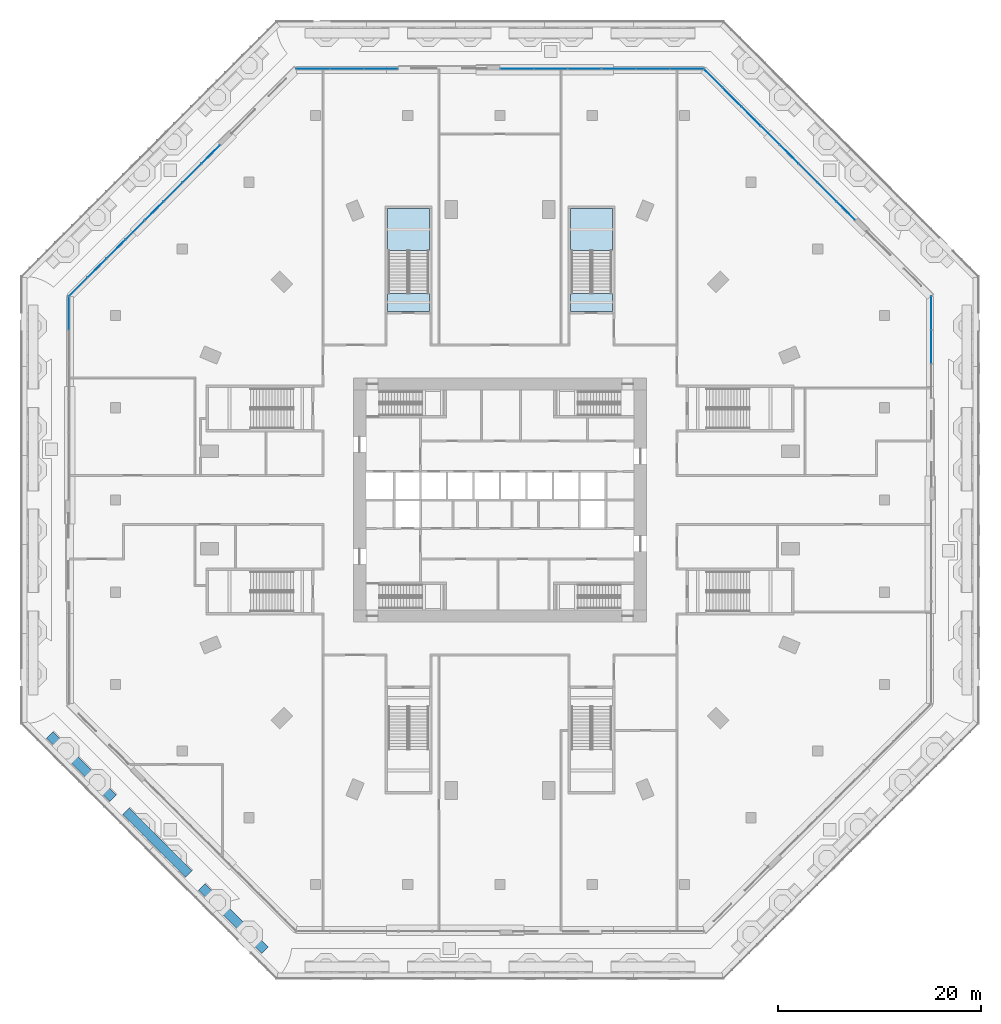
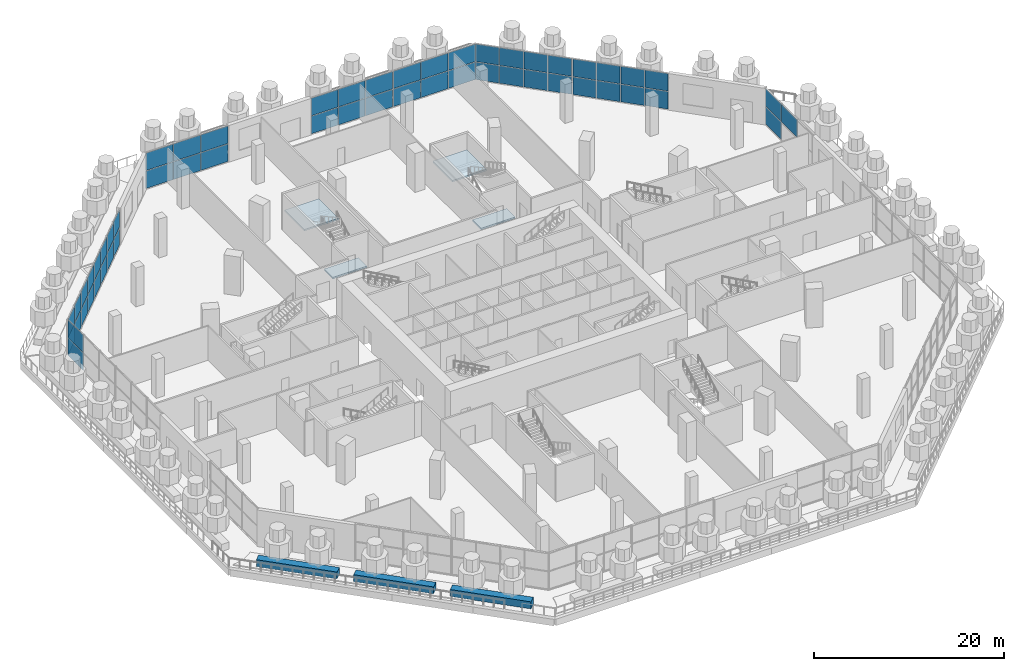
# One storey, part 20 of 32: 55 plates, 4 slabs, 3 walls, 11 elements without a shape of their own.
"""IFC4 building model written with IfcOpenShell, lengths in metres."""

from ifc_helpers import new_model, si_unit, direction, frame, frame_2d, origin, origin_2d, place, context, subcontext, project, spatial, polyline, rectangle, outline, extrude, material, layer, layer_set, type_object, element, aggregate, save


model = new_model("IFC4")

# Units and contexts
model_context = context("Model", 3, precision=1e-05, world=origin(), true_north=direction((0.0, 1.0)))
body_context = subcontext(model_context, "Body", "Model", "MODEL_VIEW")
ifc_project = project(units=[si_unit("LENGTHUNIT", "METRE"), si_unit("AREAUNIT", "SQUARE_METRE"), si_unit("VOLUMEUNIT", "CUBIC_METRE"), si_unit("PLANEANGLEUNIT", "RADIAN"), si_unit("MASSUNIT", "GRAM", prefix="KILO")], contexts=[model_context])

# Site, building, storey
site_placement = place(None, origin())
site = spatial("IfcSite", under=ifc_project, at=site_placement, CompositionType="ELEMENT")
building_placement = place(site_placement, origin())
building = spatial("IfcBuilding", under=site, at=building_placement, Name="Msitu Wima Residences", CompositionType="ELEMENT")
storey_placement = place(building_placement, frame((0.0, 0.0, 6.0)))
storey = spatial("IfcBuildingStorey", under=building, at=storey_placement, Name="L01", CompositionType="ELEMENT", Elevation=6.0)

# Curtain wall, plates
ifc_material_1 = material(Name="Anodised aluminium, bronze finish, clear low-emissivity double glazing", Category="aluminium")
curtain_wall_type = type_object("IfcCurtainWallType", Name="Curtain wall CW5 retail shopfront", PredefinedType="NOTDEFINED", material=ifc_material_1)
curtain_wall_1_placement = place(storey_placement, origin())
curtain_wall_1 = element("IfcCurtainWall", 1, at=curtain_wall_1_placement, inside=storey, type_object=curtain_wall_type, Name="Curtain wall CW5 L01 E3", PredefinedType="NOTDEFINED")
ifc_material_2 = material(Name="Clear low-emissivity double glazing", Category="glass")
ifc_layer_1 = layer(ifc_material_2, 0.031982421875)
ifc_layer_set_1 = layer_set([ifc_layer_1], Name="Clear low-emissivity double glazing")
plate_type = type_object("IfcPlateType", Name="Glass panel CW5 32", PredefinedType="CURTAIN_PANEL", material=ifc_layer_set_1)
plate_1_placement = place(storey_placement, frame((42.39990234375, 15.04052734375, 2.382568359375), z_axis=(0.0, 0.0, 1.0), x_axis=(0.0, 1.0, 0.0)))
plate_1 = element("IfcPlate", 2, at=plate_1_placement, type_object=plate_type, Name="CW5 panel 2.2", PredefinedType="CURTAIN_PANEL", context=body_context, shape_type="SweptSolid", body=[
    extrude(rectangle(XDim=3.298095703125, YDim=0.031982421875, at=origin_2d()), origin(), (0.0, 0.0, 1.0), 2.25244140625),
])
plate_2_placement = place(storey_placement, frame((42.39990234375, 18.38720703125, 0.06494140625), z_axis=(0.0, 0.0, 1.0), x_axis=(0.0, 1.0, 0.0)))
plate_2 = element("IfcPlate", 3, at=plate_2_placement, type_object=plate_type, Name="CW5 panel 3.1", PredefinedType="CURTAIN_PANEL", context=body_context, shape_type="SweptSolid", body=[
    extrude(rectangle(XDim=3.265625, YDim=0.031982421875, at=origin_2d()), origin(), (0.0, 0.0, 1.0), 2.25244140625),
])
plate_3_placement = place(storey_placement, frame((42.39990234375, 18.38720703125, 2.382568359375), z_axis=(0.0, 0.0, 1.0), x_axis=(0.0, 1.0, 0.0)))
plate_3 = element("IfcPlate", 4, at=plate_3_placement, type_object=plate_type, Name="CW5 panel 3.2", PredefinedType="CURTAIN_PANEL", context=body_context, shape_type="SweptSolid", body=[
    extrude(rectangle(XDim=3.265625, YDim=0.031982421875, at=origin_2d()), origin(), (0.0, 0.0, 1.0), 2.25244140625),
])
aggregate(curtain_wall_1, [plate_1, plate_2, plate_3])

curtain_wall_2_placement = place(storey_placement, origin())
curtain_wall_2 = element("IfcCurtainWall", 5, at=curtain_wall_2_placement, inside=storey, type_object=curtain_wall_type, Name="Curtain wall CW5 L01 NE1", PredefinedType="NOTDEFINED")
plate_4_placement = place(storey_placement, frame((33.99365234375, 28.439697265625, 0.06494140625), z_axis=(0.0, 0.0, 1.0), x_axis=(-0.707106781187, 0.707106781187, 0.0)))
plate_4 = element("IfcPlate", 6, at=plate_4_placement, type_object=plate_type, Name="CW5 panel 1.1", PredefinedType="CURTAIN_PANEL", context=body_context, shape_type="SweptSolid", body=[
    extrude(rectangle(XDim=2.531494140625, YDim=0.031982421875, at=origin_2d()), origin(), (0.0, 0.0, 1.0), 2.25244140625),
])
plate_5_placement = place(storey_placement, frame((33.99365234375, 28.439697265625, 2.382568359375), z_axis=(0.0, 0.0, 1.0), x_axis=(-0.707106781187, 0.707106781187, 0.0)))
plate_5 = element("IfcPlate", 7, at=plate_5_placement, type_object=plate_type, Name="CW5 panel 1.2", PredefinedType="CURTAIN_PANEL", context=body_context, shape_type="SweptSolid", body=[
    extrude(rectangle(XDim=2.531494140625, YDim=0.031982421875, at=origin_2d()), origin(), (0.0, 0.0, 1.0), 2.25244140625),
])
plate_6_placement = place(storey_placement, frame((32.146240234375, 30.287109375, 0.06494140625), z_axis=(0.0, 0.0, 1.0), x_axis=(-0.707106781187, 0.707106781187, 0.0)))
plate_6 = element("IfcPlate", 8, at=plate_6_placement, type_object=plate_type, Name="CW5 panel 2.1", PredefinedType="CURTAIN_PANEL", context=body_context, shape_type="SweptSolid", body=[
    extrude(rectangle(XDim=2.56396484375, YDim=0.031982421875, at=origin_2d()), origin(), (0.0, 0.0, 1.0), 2.25244140625),
])
plate_7_placement = place(storey_placement, frame((32.146240234375, 30.287109375, 2.382568359375), z_axis=(0.0, 0.0, 1.0), x_axis=(-0.707106781187, 0.707106781187, 0.0)))
plate_7 = element("IfcPlate", 9, at=plate_7_placement, type_object=plate_type, Name="CW5 panel 2.2", PredefinedType="CURTAIN_PANEL", context=body_context, shape_type="SweptSolid", body=[
    extrude(rectangle(XDim=2.56396484375, YDim=0.031982421875, at=origin_2d()), origin(), (0.0, 0.0, 1.0), 2.25244140625),
])
plate_8_placement = place(storey_placement, frame((30.287109375, 32.146240234375, 0.06494140625), z_axis=(0.0, 0.0, 1.0), x_axis=(-0.707106781187, 0.707106781187, 0.0)))
plate_8 = element("IfcPlate", 10, at=plate_8_placement, type_object=plate_type, Name="CW5 panel 3.1", PredefinedType="CURTAIN_PANEL", context=body_context, shape_type="SweptSolid", body=[
    extrude(rectangle(XDim=2.56396484375, YDim=0.031982421875, at=origin_2d()), origin(), (0.0, 0.0, 1.0), 2.25244140625),
])
plate_9_placement = place(storey_placement, frame((30.287109375, 32.146240234375, 2.382568359375), z_axis=(0.0, 0.0, 1.0), x_axis=(-0.707106781187, 0.707106781187, 0.0)))
plate_9 = element("IfcPlate", 11, at=plate_9_placement, type_object=plate_type, Name="CW5 panel 3.2", PredefinedType="CURTAIN_PANEL", context=body_context, shape_type="SweptSolid", body=[
    extrude(rectangle(XDim=2.56396484375, YDim=0.031982421875, at=origin_2d()), origin(), (0.0, 0.0, 1.0), 2.25244140625),
])
plate_10_placement = place(storey_placement, frame((28.439697265625, 33.99365234375, 0.06494140625), z_axis=(0.0, 0.0, 1.0), x_axis=(-0.707106781187, 0.707106781187, 0.0)))
plate_10 = element("IfcPlate", 12, at=plate_10_placement, type_object=plate_type, Name="CW5 panel 4.1", PredefinedType="CURTAIN_PANEL", context=body_context, shape_type="SweptSolid", body=[
    extrude(rectangle(XDim=2.531494140625, YDim=0.031982421875, at=origin_2d()), origin(), (0.0, 0.0, 1.0), 2.25244140625),
])
plate_11_placement = place(storey_placement, frame((28.439697265625, 33.99365234375, 2.382568359375), z_axis=(0.0, 0.0, 1.0), x_axis=(-0.707106781187, 0.707106781187, 0.0)))
plate_11 = element("IfcPlate", 13, at=plate_11_placement, type_object=plate_type, Name="CW5 panel 4.2", PredefinedType="CURTAIN_PANEL", context=body_context, shape_type="SweptSolid", body=[
    extrude(rectangle(XDim=2.531494140625, YDim=0.031982421875, at=origin_2d()), origin(), (0.0, 0.0, 1.0), 2.25244140625),
])
aggregate(curtain_wall_2, [plate_4, plate_5, plate_6, plate_7, plate_8, plate_9, plate_10, plate_11])

curtain_wall_3_placement = place(storey_placement, origin())
curtain_wall_3 = element("IfcCurtainWall", 14, at=curtain_wall_3_placement, inside=storey, type_object=curtain_wall_type, Name="Curtain wall CW5 L01 NE2", PredefinedType="NOTDEFINED")
plate_12_placement = place(storey_placement, frame((26.54931640625, 35.8837890625, 0.06494140625), z_axis=(0.0, 0.0, 1.0), x_axis=(-0.707106781187, 0.707106781187, 0.0)))
plate_12 = element("IfcPlate", 15, at=plate_12_placement, type_object=plate_type, Name="CW5 panel 1.1", PredefinedType="CURTAIN_PANEL", context=body_context, shape_type="SweptSolid", body=[
    extrude(rectangle(XDim=2.554931640625, YDim=0.031982421875, at=origin_2d()), origin(), (0.0, 0.0, 1.0), 2.25244140625),
])
plate_13_placement = place(storey_placement, frame((26.54931640625, 35.8837890625, 2.382568359375), z_axis=(0.0, 0.0, 1.0), x_axis=(-0.707106781187, 0.707106781187, 0.0)))
plate_13 = element("IfcPlate", 16, at=plate_13_placement, type_object=plate_type, Name="CW5 panel 1.2", PredefinedType="CURTAIN_PANEL", context=body_context, shape_type="SweptSolid", body=[
    extrude(rectangle(XDim=2.554931640625, YDim=0.031982421875, at=origin_2d()), origin(), (0.0, 0.0, 1.0), 2.25244140625),
])
plate_14_placement = place(storey_placement, frame((24.685302734375, 37.747802734375, 0.06494140625), z_axis=(0.0, 0.0, 1.0), x_axis=(-0.707106781187, 0.707106781187, 0.0)))
plate_14 = element("IfcPlate", 17, at=plate_14_placement, type_object=plate_type, Name="CW5 panel 2.1", PredefinedType="CURTAIN_PANEL", context=body_context, shape_type="SweptSolid", body=[
    extrude(rectangle(XDim=2.58740234375, YDim=0.031982421875, at=origin_2d()), origin(), (0.0, 0.0, 1.0), 2.25244140625),
])
plate_15_placement = place(storey_placement, frame((24.685302734375, 37.747802734375, 2.382568359375), z_axis=(0.0, 0.0, 1.0), x_axis=(-0.707106781187, 0.707106781187, 0.0)))
plate_15 = element("IfcPlate", 18, at=plate_15_placement, type_object=plate_type, Name="CW5 panel 2.2", PredefinedType="CURTAIN_PANEL", context=body_context, shape_type="SweptSolid", body=[
    extrude(rectangle(XDim=2.58740234375, YDim=0.031982421875, at=origin_2d()), origin(), (0.0, 0.0, 1.0), 2.25244140625),
])
plate_16_placement = place(storey_placement, frame((22.809814453125, 39.623291015625, 0.06494140625), z_axis=(0.0, 0.0, 1.0), x_axis=(-0.707106781187, 0.707106781187, 0.0)))
plate_16 = element("IfcPlate", 19, at=plate_16_placement, type_object=plate_type, Name="CW5 panel 3.1", PredefinedType="CURTAIN_PANEL", context=body_context, shape_type="SweptSolid", body=[
    extrude(rectangle(XDim=2.58740234375, YDim=0.031982421875, at=origin_2d()), origin(), (0.0, 0.0, 1.0), 2.25244140625),
])
plate_17_placement = place(storey_placement, frame((22.809814453125, 39.623291015625, 2.382568359375), z_axis=(0.0, 0.0, 1.0), x_axis=(-0.707106781187, 0.707106781187, 0.0)))
plate_17 = element("IfcPlate", 20, at=plate_17_placement, type_object=plate_type, Name="CW5 panel 3.2", PredefinedType="CURTAIN_PANEL", context=body_context, shape_type="SweptSolid", body=[
    extrude(rectangle(XDim=2.58740234375, YDim=0.031982421875, at=origin_2d()), origin(), (0.0, 0.0, 1.0), 2.25244140625),
])
plate_18_placement = place(storey_placement, frame((20.946044921875, 41.4873046875, 0.06494140625), z_axis=(0.0, 0.0, 1.0), x_axis=(-0.707106781187, 0.707106781187, 0.0)))
plate_18 = element("IfcPlate", 21, at=plate_18_placement, type_object=plate_type, Name="CW5 panel 4.1", PredefinedType="CURTAIN_PANEL", context=body_context, shape_type="SweptSolid", body=[
    extrude(rectangle(XDim=2.554931640625, YDim=0.031982421875, at=origin_2d()), origin(), (0.0, 0.0, 1.0), 2.25244140625),
])
plate_19_placement = place(storey_placement, frame((20.946044921875, 41.4873046875, 2.382568359375), z_axis=(0.0, 0.0, 1.0), x_axis=(-0.707106781187, 0.707106781187, 0.0)))
plate_19 = element("IfcPlate", 22, at=plate_19_placement, type_object=plate_type, Name="CW5 panel 4.2", PredefinedType="CURTAIN_PANEL", context=body_context, shape_type="SweptSolid", body=[
    extrude(rectangle(XDim=2.554931640625, YDim=0.031982421875, at=origin_2d()), origin(), (0.0, 0.0, 1.0), 2.25244140625),
])
aggregate(curtain_wall_3, [plate_12, plate_13, plate_14, plate_15, plate_16, plate_17, plate_18, plate_19])

curtain_wall_4_placement = place(storey_placement, origin())
curtain_wall_4 = element("IfcCurtainWall", 23, at=curtain_wall_4_placement, inside=storey, type_object=curtain_wall_type, Name="Curtain wall CW5 L01 N0", PredefinedType="NOTDEFINED")
plate_20_placement = place(storey_placement, frame((18.38720703125, 42.39990234375, 0.06494140625), z_axis=(0.0, 0.0, 1.0), x_axis=(-1.0, 0.0, 0.0)))
plate_20 = element("IfcPlate", 24, at=plate_20_placement, type_object=plate_type, Name="CW5 panel 1.1", PredefinedType="CURTAIN_PANEL", context=body_context, shape_type="SweptSolid", body=[
    extrude(rectangle(XDim=3.265625, YDim=0.031982421875, at=origin_2d()), origin(), (0.0, 0.0, 1.0), 2.25244140625),
])
plate_21_placement = place(storey_placement, frame((18.38720703125, 42.39990234375, 2.382568359375), z_axis=(0.0, 0.0, 1.0), x_axis=(-1.0, 0.0, 0.0)))
plate_21 = element("IfcPlate", 25, at=plate_21_placement, type_object=plate_type, Name="CW5 panel 1.2", PredefinedType="CURTAIN_PANEL", context=body_context, shape_type="SweptSolid", body=[
    extrude(rectangle(XDim=3.265625, YDim=0.031982421875, at=origin_2d()), origin(), (0.0, 0.0, 1.0), 2.25244140625),
])
plate_22_placement = place(storey_placement, frame((15.04052734375, 42.39990234375, 0.06494140625), z_axis=(0.0, 0.0, 1.0), x_axis=(-1.0, 0.0, 0.0)))
plate_22 = element("IfcPlate", 26, at=plate_22_placement, type_object=plate_type, Name="CW5 panel 2.1", PredefinedType="CURTAIN_PANEL", context=body_context, shape_type="SweptSolid", body=[
    extrude(rectangle(XDim=3.298095703125, YDim=0.031982421875, at=origin_2d()), origin(), (0.0, 0.0, 1.0), 2.25244140625),
])
plate_23_placement = place(storey_placement, frame((15.04052734375, 42.39990234375, 2.382568359375), z_axis=(0.0, 0.0, 1.0), x_axis=(-1.0, 0.0, 0.0)))
plate_23 = element("IfcPlate", 27, at=plate_23_placement, type_object=plate_type, Name="CW5 panel 2.2", PredefinedType="CURTAIN_PANEL", context=body_context, shape_type="SweptSolid", body=[
    extrude(rectangle(XDim=3.298095703125, YDim=0.031982421875, at=origin_2d()), origin(), (0.0, 0.0, 1.0), 2.25244140625),
])
plate_24_placement = place(storey_placement, frame((11.693603515625, 42.39990234375, 0.06494140625), z_axis=(0.0, 0.0, 1.0), x_axis=(-1.0, 0.0, 0.0)))
plate_24 = element("IfcPlate", 28, at=plate_24_placement, type_object=plate_type, Name="CW5 panel 3.1", PredefinedType="CURTAIN_PANEL", context=body_context, shape_type="SweptSolid", body=[
    extrude(rectangle(XDim=3.265625, YDim=0.031982421875, at=origin_2d()), origin(), (0.0, 0.0, 1.0), 2.25244140625),
])
plate_25_placement = place(storey_placement, frame((11.693603515625, 42.39990234375, 2.382568359375), z_axis=(0.0, 0.0, 1.0), x_axis=(-1.0, 0.0, 0.0)))
plate_25 = element("IfcPlate", 29, at=plate_25_placement, type_object=plate_type, Name="CW5 panel 3.2", PredefinedType="CURTAIN_PANEL", context=body_context, shape_type="SweptSolid", body=[
    extrude(rectangle(XDim=3.265625, YDim=0.031982421875, at=origin_2d()), origin(), (0.0, 0.0, 1.0), 2.25244140625),
])
aggregate(curtain_wall_4, [plate_20, plate_21, plate_22, plate_23, plate_24, plate_25])

curtain_wall_5_placement = place(storey_placement, origin())
curtain_wall_5 = element("IfcCurtainWall", 30, at=curtain_wall_5_placement, inside=storey, type_object=curtain_wall_type, Name="Curtain wall CW5 L01 N1", PredefinedType="NOTDEFINED")
plate_26_placement = place(storey_placement, frame((8.313720703125, 42.39990234375, 0.06494140625), z_axis=(0.0, 0.0, 1.0), x_axis=(-1.0, 0.0, 0.0)))
plate_26 = element("IfcPlate", 31, at=plate_26_placement, type_object=plate_type, Name="CW5 panel 1.1", PredefinedType="CURTAIN_PANEL", context=body_context, shape_type="SweptSolid", body=[
    extrude(rectangle(XDim=3.234375, YDim=0.031982421875, at=origin_2d()), origin(), (0.0, 0.0, 1.0), 2.25244140625),
])
plate_27_placement = place(storey_placement, frame((8.313720703125, 42.39990234375, 2.382568359375), z_axis=(0.0, 0.0, 1.0), x_axis=(-1.0, 0.0, 0.0)))
plate_27 = element("IfcPlate", 32, at=plate_27_placement, type_object=plate_type, Name="CW5 panel 1.2", PredefinedType="CURTAIN_PANEL", context=body_context, shape_type="SweptSolid", body=[
    extrude(rectangle(XDim=3.234375, YDim=0.031982421875, at=origin_2d()), origin(), (0.0, 0.0, 1.0), 2.25244140625),
])
plate_28_placement = place(storey_placement, frame((4.998046875, 42.39990234375, 0.06494140625), z_axis=(0.0, 0.0, 1.0), x_axis=(-1.0, 0.0, 0.0)))
plate_28 = element("IfcPlate", 33, at=plate_28_placement, type_object=plate_type, Name="CW5 panel 2.1", PredefinedType="CURTAIN_PANEL", context=body_context, shape_type="SweptSolid", body=[
    extrude(rectangle(XDim=3.26708984375, YDim=0.031982421875, at=origin_2d()), origin(), (0.0, 0.0, 1.0), 2.25244140625),
])
plate_29_placement = place(storey_placement, frame((4.998046875, 42.39990234375, 2.382568359375), z_axis=(0.0, 0.0, 1.0), x_axis=(-1.0, 0.0, 0.0)))
plate_29 = element("IfcPlate", 34, at=plate_29_placement, type_object=plate_type, Name="CW5 panel 2.2", PredefinedType="CURTAIN_PANEL", context=body_context, shape_type="SweptSolid", body=[
    extrude(rectangle(XDim=3.26708984375, YDim=0.031982421875, at=origin_2d()), origin(), (0.0, 0.0, 1.0), 2.25244140625),
])
plate_30_placement = place(storey_placement, frame((1.68212890625, 42.39990234375, 0.06494140625), z_axis=(0.0, 0.0, 1.0), x_axis=(-1.0, 0.0, 0.0)))
plate_30 = element("IfcPlate", 35, at=plate_30_placement, type_object=plate_type, Name="CW5 panel 3.1", PredefinedType="CURTAIN_PANEL", context=body_context, shape_type="SweptSolid", body=[
    extrude(rectangle(XDim=3.234375, YDim=0.031982421875, at=origin_2d()), origin(), (0.0, 0.0, 1.0), 2.25244140625),
])
plate_31_placement = place(storey_placement, frame((1.68212890625, 42.39990234375, 2.382568359375), z_axis=(0.0, 0.0, 1.0), x_axis=(-1.0, 0.0, 0.0)))
plate_31 = element("IfcPlate", 36, at=plate_31_placement, type_object=plate_type, Name="CW5 panel 3.2", PredefinedType="CURTAIN_PANEL", context=body_context, shape_type="SweptSolid", body=[
    extrude(rectangle(XDim=3.234375, YDim=0.031982421875, at=origin_2d()), origin(), (0.0, 0.0, 1.0), 2.25244140625),
])
aggregate(curtain_wall_5, [plate_26, plate_27, plate_28, plate_29, plate_30, plate_31])

curtain_wall_6_placement = place(storey_placement, origin())
curtain_wall_6 = element("IfcCurtainWall", 37, at=curtain_wall_6_placement, inside=storey, type_object=curtain_wall_type, Name="Curtain wall CW5 L01 N3", PredefinedType="NOTDEFINED")
plate_32_placement = place(storey_placement, frame((-11.693603515625, 42.39990234375, 0.06494140625), z_axis=(0.0, 0.0, 1.0), x_axis=(-1.0, 0.0, 0.0)))
plate_32 = element("IfcPlate", 38, at=plate_32_placement, type_object=plate_type, Name="CW5 panel 1.1", PredefinedType="CURTAIN_PANEL", context=body_context, shape_type="SweptSolid", body=[
    extrude(rectangle(XDim=3.265625, YDim=0.031982421875, at=origin_2d()), origin(), (0.0, 0.0, 1.0), 2.25244140625),
])
plate_33_placement = place(storey_placement, frame((-11.693603515625, 42.39990234375, 2.382568359375), z_axis=(0.0, 0.0, 1.0), x_axis=(-1.0, 0.0, 0.0)))
plate_33 = element("IfcPlate", 39, at=plate_33_placement, type_object=plate_type, Name="CW5 panel 1.2", PredefinedType="CURTAIN_PANEL", context=body_context, shape_type="SweptSolid", body=[
    extrude(rectangle(XDim=3.265625, YDim=0.031982421875, at=origin_2d()), origin(), (0.0, 0.0, 1.0), 2.25244140625),
])
plate_34_placement = place(storey_placement, frame((-15.04052734375, 42.39990234375, 0.06494140625), z_axis=(0.0, 0.0, 1.0), x_axis=(-1.0, 0.0, 0.0)))
plate_34 = element("IfcPlate", 40, at=plate_34_placement, type_object=plate_type, Name="CW5 panel 2.1", PredefinedType="CURTAIN_PANEL", context=body_context, shape_type="SweptSolid", body=[
    extrude(rectangle(XDim=3.298095703125, YDim=0.031982421875, at=origin_2d()), origin(), (0.0, 0.0, 1.0), 2.25244140625),
])
plate_35_placement = place(storey_placement, frame((-15.04052734375, 42.39990234375, 2.382568359375), z_axis=(0.0, 0.0, 1.0), x_axis=(-1.0, 0.0, 0.0)))
plate_35 = element("IfcPlate", 41, at=plate_35_placement, type_object=plate_type, Name="CW5 panel 2.2", PredefinedType="CURTAIN_PANEL", context=body_context, shape_type="SweptSolid", body=[
    extrude(rectangle(XDim=3.298095703125, YDim=0.031982421875, at=origin_2d()), origin(), (0.0, 0.0, 1.0), 2.25244140625),
])
plate_36_placement = place(storey_placement, frame((-18.38720703125, 42.39990234375, 0.06494140625), z_axis=(0.0, 0.0, 1.0), x_axis=(-1.0, 0.0, 0.0)))
plate_36 = element("IfcPlate", 42, at=plate_36_placement, type_object=plate_type, Name="CW5 panel 3.1", PredefinedType="CURTAIN_PANEL", context=body_context, shape_type="SweptSolid", body=[
    extrude(rectangle(XDim=3.265625, YDim=0.031982421875, at=origin_2d()), origin(), (0.0, 0.0, 1.0), 2.25244140625),
])
plate_37_placement = place(storey_placement, frame((-18.38720703125, 42.39990234375, 2.382568359375), z_axis=(0.0, 0.0, 1.0), x_axis=(-1.0, 0.0, 0.0)))
plate_37 = element("IfcPlate", 43, at=plate_37_placement, type_object=plate_type, Name="CW5 panel 3.2", PredefinedType="CURTAIN_PANEL", context=body_context, shape_type="SweptSolid", body=[
    extrude(rectangle(XDim=3.265625, YDim=0.031982421875, at=origin_2d()), origin(), (0.0, 0.0, 1.0), 2.25244140625),
])
aggregate(curtain_wall_6, [plate_32, plate_33, plate_34, plate_35, plate_36, plate_37])

curtain_wall_7_placement = place(storey_placement, origin())
curtain_wall_7 = element("IfcCurtainWall", 44, at=curtain_wall_7_placement, inside=storey, type_object=curtain_wall_type, Name="Curtain wall CW5 L01 NW1", PredefinedType="NOTDEFINED")
plate_38_placement = place(storey_placement, frame((-28.439697265625, 33.99365234375, 0.06494140625), z_axis=(0.0, 0.0, 1.0), x_axis=(-0.707106781187, -0.707106781187, 0.0)))
plate_38 = element("IfcPlate", 45, at=plate_38_placement, type_object=plate_type, Name="CW5 panel 1.1", PredefinedType="CURTAIN_PANEL", context=body_context, shape_type="SweptSolid", body=[
    extrude(rectangle(XDim=2.531494140625, YDim=0.031982421875, at=origin_2d()), origin(), (0.0, 0.0, 1.0), 2.25244140625),
])
plate_39_placement = place(storey_placement, frame((-28.439697265625, 33.99365234375, 2.382568359375), z_axis=(0.0, 0.0, 1.0), x_axis=(-0.707106781187, -0.707106781187, 0.0)))
plate_39 = element("IfcPlate", 46, at=plate_39_placement, type_object=plate_type, Name="CW5 panel 1.2", PredefinedType="CURTAIN_PANEL", context=body_context, shape_type="SweptSolid", body=[
    extrude(rectangle(XDim=2.531494140625, YDim=0.031982421875, at=origin_2d()), origin(), (0.0, 0.0, 1.0), 2.25244140625),
])
plate_40_placement = place(storey_placement, frame((-30.287109375, 32.146240234375, 0.06494140625), z_axis=(0.0, 0.0, 1.0), x_axis=(-0.707106781187, -0.707106781187, 0.0)))
plate_40 = element("IfcPlate", 47, at=plate_40_placement, type_object=plate_type, Name="CW5 panel 2.1", PredefinedType="CURTAIN_PANEL", context=body_context, shape_type="SweptSolid", body=[
    extrude(rectangle(XDim=2.56396484375, YDim=0.031982421875, at=origin_2d()), origin(), (0.0, 0.0, 1.0), 2.25244140625),
])
plate_41_placement = place(storey_placement, frame((-30.287109375, 32.146240234375, 2.382568359375), z_axis=(0.0, 0.0, 1.0), x_axis=(-0.707106781187, -0.707106781187, 0.0)))
plate_41 = element("IfcPlate", 48, at=plate_41_placement, type_object=plate_type, Name="CW5 panel 2.2", PredefinedType="CURTAIN_PANEL", context=body_context, shape_type="SweptSolid", body=[
    extrude(rectangle(XDim=2.56396484375, YDim=0.031982421875, at=origin_2d()), origin(), (0.0, 0.0, 1.0), 2.25244140625),
])
plate_42_placement = place(storey_placement, frame((-32.146240234375, 30.287109375, 0.06494140625), z_axis=(0.0, 0.0, 1.0), x_axis=(-0.707106781187, -0.707106781187, 0.0)))
plate_42 = element("IfcPlate", 49, at=plate_42_placement, type_object=plate_type, Name="CW5 panel 3.1", PredefinedType="CURTAIN_PANEL", context=body_context, shape_type="SweptSolid", body=[
    extrude(rectangle(XDim=2.56396484375, YDim=0.031982421875, at=origin_2d()), origin(), (0.0, 0.0, 1.0), 2.25244140625),
])
plate_43_placement = place(storey_placement, frame((-32.146240234375, 30.287109375, 2.382568359375), z_axis=(0.0, 0.0, 1.0), x_axis=(-0.707106781187, -0.707106781187, 0.0)))
plate_43 = element("IfcPlate", 50, at=plate_43_placement, type_object=plate_type, Name="CW5 panel 3.2", PredefinedType="CURTAIN_PANEL", context=body_context, shape_type="SweptSolid", body=[
    extrude(rectangle(XDim=2.56396484375, YDim=0.031982421875, at=origin_2d()), origin(), (0.0, 0.0, 1.0), 2.25244140625),
])
plate_44_placement = place(storey_placement, frame((-33.99365234375, 28.439697265625, 0.06494140625), z_axis=(0.0, 0.0, 1.0), x_axis=(-0.707106781187, -0.707106781187, 0.0)))
plate_44 = element("IfcPlate", 51, at=plate_44_placement, type_object=plate_type, Name="CW5 panel 4.1", PredefinedType="CURTAIN_PANEL", context=body_context, shape_type="SweptSolid", body=[
    extrude(rectangle(XDim=2.531494140625, YDim=0.031982421875, at=origin_2d()), origin(), (0.0, 0.0, 1.0), 2.25244140625),
])
plate_45_placement = place(storey_placement, frame((-33.99365234375, 28.439697265625, 2.382568359375), z_axis=(0.0, 0.0, 1.0), x_axis=(-0.707106781187, -0.707106781187, 0.0)))
plate_45 = element("IfcPlate", 52, at=plate_45_placement, type_object=plate_type, Name="CW5 panel 4.2", PredefinedType="CURTAIN_PANEL", context=body_context, shape_type="SweptSolid", body=[
    extrude(rectangle(XDim=2.531494140625, YDim=0.031982421875, at=origin_2d()), origin(), (0.0, 0.0, 1.0), 2.25244140625),
])
aggregate(curtain_wall_7, [plate_38, plate_39, plate_40, plate_41, plate_42, plate_43, plate_44, plate_45])

curtain_wall_8_placement = place(storey_placement, origin())
curtain_wall_8 = element("IfcCurtainWall", 53, at=curtain_wall_8_placement, inside=storey, type_object=curtain_wall_type, Name="Curtain wall CW5 L01 NW2", PredefinedType="NOTDEFINED")
plate_46_placement = place(storey_placement, frame((-35.8837890625, 26.54931640625, 0.06494140625), z_axis=(0.0, 0.0, 1.0), x_axis=(-0.707106781187, -0.707106781187, 0.0)))
plate_46 = element("IfcPlate", 54, at=plate_46_placement, type_object=plate_type, Name="CW5 panel 1.1", PredefinedType="CURTAIN_PANEL", context=body_context, shape_type="SweptSolid", body=[
    extrude(rectangle(XDim=2.554931640625, YDim=0.031982421875, at=origin_2d()), origin(), (0.0, 0.0, 1.0), 2.25244140625),
])
plate_47_placement = place(storey_placement, frame((-35.8837890625, 26.54931640625, 2.382568359375), z_axis=(0.0, 0.0, 1.0), x_axis=(-0.707106781187, -0.707106781187, 0.0)))
plate_47 = element("IfcPlate", 55, at=plate_47_placement, type_object=plate_type, Name="CW5 panel 1.2", PredefinedType="CURTAIN_PANEL", context=body_context, shape_type="SweptSolid", body=[
    extrude(rectangle(XDim=2.554931640625, YDim=0.031982421875, at=origin_2d()), origin(), (0.0, 0.0, 1.0), 2.25244140625),
])
plate_48_placement = place(storey_placement, frame((-37.747802734375, 24.685302734375, 0.06494140625), z_axis=(0.0, 0.0, 1.0), x_axis=(-0.707106781187, -0.707106781187, 0.0)))
plate_48 = element("IfcPlate", 56, at=plate_48_placement, type_object=plate_type, Name="CW5 panel 2.1", PredefinedType="CURTAIN_PANEL", context=body_context, shape_type="SweptSolid", body=[
    extrude(rectangle(XDim=2.58740234375, YDim=0.031982421875, at=origin_2d()), origin(), (0.0, 0.0, 1.0), 2.25244140625),
])
plate_49_placement = place(storey_placement, frame((-37.747802734375, 24.685302734375, 2.382568359375), z_axis=(0.0, 0.0, 1.0), x_axis=(-0.707106781187, -0.707106781187, 0.0)))
plate_49 = element("IfcPlate", 57, at=plate_49_placement, type_object=plate_type, Name="CW5 panel 2.2", PredefinedType="CURTAIN_PANEL", context=body_context, shape_type="SweptSolid", body=[
    extrude(rectangle(XDim=2.58740234375, YDim=0.031982421875, at=origin_2d()), origin(), (0.0, 0.0, 1.0), 2.25244140625),
])
plate_50_placement = place(storey_placement, frame((-39.623291015625, 22.809814453125, 0.06494140625), z_axis=(0.0, 0.0, 1.0), x_axis=(-0.707106781187, -0.707106781187, 0.0)))
plate_50 = element("IfcPlate", 58, at=plate_50_placement, type_object=plate_type, Name="CW5 panel 3.1", PredefinedType="CURTAIN_PANEL", context=body_context, shape_type="SweptSolid", body=[
    extrude(rectangle(XDim=2.58740234375, YDim=0.031982421875, at=origin_2d()), origin(), (0.0, 0.0, 1.0), 2.25244140625),
])
plate_51_placement = place(storey_placement, frame((-39.623291015625, 22.809814453125, 2.382568359375), z_axis=(0.0, 0.0, 1.0), x_axis=(-0.707106781187, -0.707106781187, 0.0)))
plate_51 = element("IfcPlate", 59, at=plate_51_placement, type_object=plate_type, Name="CW5 panel 3.2", PredefinedType="CURTAIN_PANEL", context=body_context, shape_type="SweptSolid", body=[
    extrude(rectangle(XDim=2.58740234375, YDim=0.031982421875, at=origin_2d()), origin(), (0.0, 0.0, 1.0), 2.25244140625),
])
plate_52_placement = place(storey_placement, frame((-41.4873046875, 20.946044921875, 0.06494140625), z_axis=(0.0, 0.0, 1.0), x_axis=(-0.707106781187, -0.707106781187, 0.0)))
plate_52 = element("IfcPlate", 60, at=plate_52_placement, type_object=plate_type, Name="CW5 panel 4.1", PredefinedType="CURTAIN_PANEL", context=body_context, shape_type="SweptSolid", body=[
    extrude(rectangle(XDim=2.554931640625, YDim=0.031982421875, at=origin_2d()), origin(), (0.0, 0.0, 1.0), 2.25244140625),
])
plate_53_placement = place(storey_placement, frame((-41.4873046875, 20.946044921875, 2.382568359375), z_axis=(0.0, 0.0, 1.0), x_axis=(-0.707106781187, -0.707106781187, 0.0)))
plate_53 = element("IfcPlate", 61, at=plate_53_placement, type_object=plate_type, Name="CW5 panel 4.2", PredefinedType="CURTAIN_PANEL", context=body_context, shape_type="SweptSolid", body=[
    extrude(rectangle(XDim=2.554931640625, YDim=0.031982421875, at=origin_2d()), origin(), (0.0, 0.0, 1.0), 2.25244140625),
])
aggregate(curtain_wall_8, [plate_46, plate_47, plate_48, plate_49, plate_50, plate_51, plate_52, plate_53])

curtain_wall_9_placement = place(storey_placement, origin())
curtain_wall_9 = element("IfcCurtainWall", 62, at=curtain_wall_9_placement, inside=storey, type_object=curtain_wall_type, Name="Curtain wall CW5 L01 W0", PredefinedType="NOTDEFINED")
plate_54_placement = place(storey_placement, frame((-42.39990234375, 18.38720703125, 0.06494140625), z_axis=(0.0, 0.0, 1.0), x_axis=(0.0, -1.0, 0.0)))
plate_54 = element("IfcPlate", 63, at=plate_54_placement, type_object=plate_type, Name="CW5 panel 1.1", PredefinedType="CURTAIN_PANEL", context=body_context, shape_type="SweptSolid", body=[
    extrude(rectangle(XDim=3.265625, YDim=0.031982421875, at=origin_2d()), origin(), (0.0, 0.0, 1.0), 2.25244140625),
])
plate_55_placement = place(storey_placement, frame((-42.39990234375, 18.38720703125, 2.382568359375), z_axis=(0.0, 0.0, 1.0), x_axis=(0.0, -1.0, 0.0)))
plate_55 = element("IfcPlate", 64, at=plate_55_placement, type_object=plate_type, Name="CW5 panel 1.2", PredefinedType="CURTAIN_PANEL", context=body_context, shape_type="SweptSolid", body=[
    extrude(rectangle(XDim=3.265625, YDim=0.031982421875, at=origin_2d()), origin(), (0.0, 0.0, 1.0), 2.25244140625),
])
aggregate(curtain_wall_9, [plate_54, plate_55])

# Stair, slab
ifc_material_3 = material(Name="Concrete C40/50", Category="concrete")
stair_type = type_object("IfcStairType", Name="Podium exit stair PX1667-190", PredefinedType="HALF_TURN_STAIR", material=ifc_material_3)
stair_1_placement = place(storey_placement, origin())
stair_1 = element("IfcStair", 65, at=stair_1_placement, inside=storey, type_object=stair_type, Name="Podium exit stair 3", PredefinedType="HALF_TURN_STAIR")
ifc_layer_2 = layer(ifc_material_3, 0.199951171875)
ifc_layer_set_2 = layer_set([ifc_layer_2], Name="Concrete C40/50")
slab_type = type_object("IfcSlabType", Name="Stair landing SL200", PredefinedType="LANDING", material=ifc_layer_set_2)
slab_1_placement = place(storey_placement, frame((0.0, 0.0, 2.300048828125)))
slab_1 = element("IfcSlab", 66, at=slab_1_placement, type_object=slab_type, Name="PS3 landing 1", PredefinedType="LANDING", context=body_context, shape_type="SweptSolid", body=[
    extrude(outline(polyline([(-6.925048828125, 24.52490234375), (-6.925048828125, 28.675048828125), (-11.074951171875, 28.675048828125), (-11.074951171875, 24.52490234375), (-6.925048828125, 24.52490234375)])), origin(), (0.0, 0.0, 1.0), 0.199951171875),
])
aggregate(stair_1, [slab_1])

# Slab
slab_2_placement = place(storey_placement, frame((0.0, 0.0, -0.199951171875)))
element("IfcSlab", 67, at=slab_2_placement, inside=storey, type_object=slab_type, Name="Podium exit stair 3 floor landing", PredefinedType="LANDING", context=body_context, shape_type="SweptSolid", body=[
    extrude(outline(polyline([(-6.925048828125, 18.52490234375), (-6.925048828125, 20.324951171875), (-11.074951171875, 20.324951171875), (-11.074951171875, 18.52490234375), (-6.925048828125, 18.52490234375)])), origin(), (0.0, 0.0, 1.0), 0.199951171875),
])

# Stair, slab
stair_2_placement = place(storey_placement, origin())
stair_2 = element("IfcStair", 68, at=stair_2_placement, inside=storey, type_object=stair_type, Name="Podium exit stair 4", PredefinedType="HALF_TURN_STAIR")
slab_3_placement = place(storey_placement, frame((0.0, 0.0, 2.300048828125)))
slab_3 = element("IfcSlab", 69, at=slab_3_placement, type_object=slab_type, Name="PS4 landing 1", PredefinedType="LANDING", context=body_context, shape_type="SweptSolid", body=[
    extrude(outline(polyline([(6.925048828125, 24.52490234375), (6.925048828125, 28.675048828125), (11.074951171875, 28.675048828125), (11.074951171875, 24.52490234375), (6.925048828125, 24.52490234375)])), origin(), (0.0, 0.0, 1.0), 0.199951171875),
])
aggregate(stair_2, [slab_3])

# Slab
slab_4_placement = place(storey_placement, frame((0.0, 0.0, -0.199951171875)))
element("IfcSlab", 70, at=slab_4_placement, inside=storey, type_object=slab_type, Name="Podium exit stair 4 floor landing", PredefinedType="LANDING", context=body_context, shape_type="SweptSolid", body=[
    extrude(outline(polyline([(6.925048828125, 18.52490234375), (6.925048828125, 20.324951171875), (11.074951171875, 20.324951171875), (11.074951171875, 18.52490234375), (6.925048828125, 18.52490234375)])), origin(), (0.0, 0.0, 1.0), 0.199951171875),
])

# Walls
ifc_material_4 = material(Name="Facing brick")
ifc_layer_3 = layer(ifc_material_4, 0.06494140625, Name="Facing brick")
ifc_layer_4 = layer(ifc_material_3, 0.381103515625, Name="Concrete C40/50")
ifc_material_5 = material(Name="Waterproofing membrane")
ifc_layer_5 = layer(ifc_material_5, 0.00390625, Name="Waterproofing membrane")
ifc_material_6 = material(Name="Planting soil and planting")
ifc_layer_6 = layer(ifc_material_6, 0.449951171875, Name="Planting soil and planting")
ifc_layer_set_3 = layer_set([ifc_layer_3, ifc_layer_4, ifc_layer_5, ifc_layer_6], Name="Concrete C40/50")
wall_type = type_object("IfcWallType", Name="Terrace planter PLANTER PL900", PredefinedType="USERDEFINED", material=ifc_layer_set_3)
wall_1_placement = place(storey_placement, frame((-44.275146484375, -23.10791015625, 0.0), z_axis=(0.0, 0.0, 1.0), x_axis=(0.707106781187, -0.707106781187, 0.0)))
element("IfcWall", 71, at=wall_1_placement, inside=storey, type_object=wall_type, Name="Terrace planter L01 SW0", ObjectType="PLANTER", PredefinedType="USERDEFINED", context=body_context, shape_type="SweptSolid", body=[
    extrude(rectangle(XDim=8.8095703125, YDim=0.89990234375, at=frame_2d((4.40478515625, 0.0))), origin(), (0.0, 0.0, 1.0), 0.89990234375),
])
wall_2_placement = place(storey_placement, frame((-36.773193359375, -30.60986328125, 0.0), z_axis=(0.0, 0.0, 1.0), x_axis=(0.707106781187, -0.707106781187, 0.0)))
element("IfcWall", 72, at=wall_2_placement, inside=storey, type_object=wall_type, Name="Terrace planter L01 SW1", ObjectType="PLANTER", PredefinedType="USERDEFINED", context=body_context, shape_type="SweptSolid", body=[
    extrude(rectangle(XDim=8.71630859375, YDim=0.89990234375, at=frame_2d((4.358154296875, 0.0))), origin(), (0.0, 0.0, 1.0), 0.89990234375),
])
wall_3_placement = place(storey_placement, frame((-29.337158203125, -38.0458984375, 0.0), z_axis=(0.0, 0.0, 1.0), x_axis=(0.707106781187, -0.707106781187, 0.0)))
element("IfcWall", 73, at=wall_3_placement, inside=storey, type_object=wall_type, Name="Terrace planter L01 SW2", ObjectType="PLANTER", PredefinedType="USERDEFINED", context=body_context, shape_type="SweptSolid", body=[
    extrude(rectangle(XDim=8.8095703125, YDim=0.89990234375, at=frame_2d((4.40478515625, 0.0))), origin(), (0.0, 0.0, 1.0), 0.89990234375),
])

save(model, "model.ifc")
